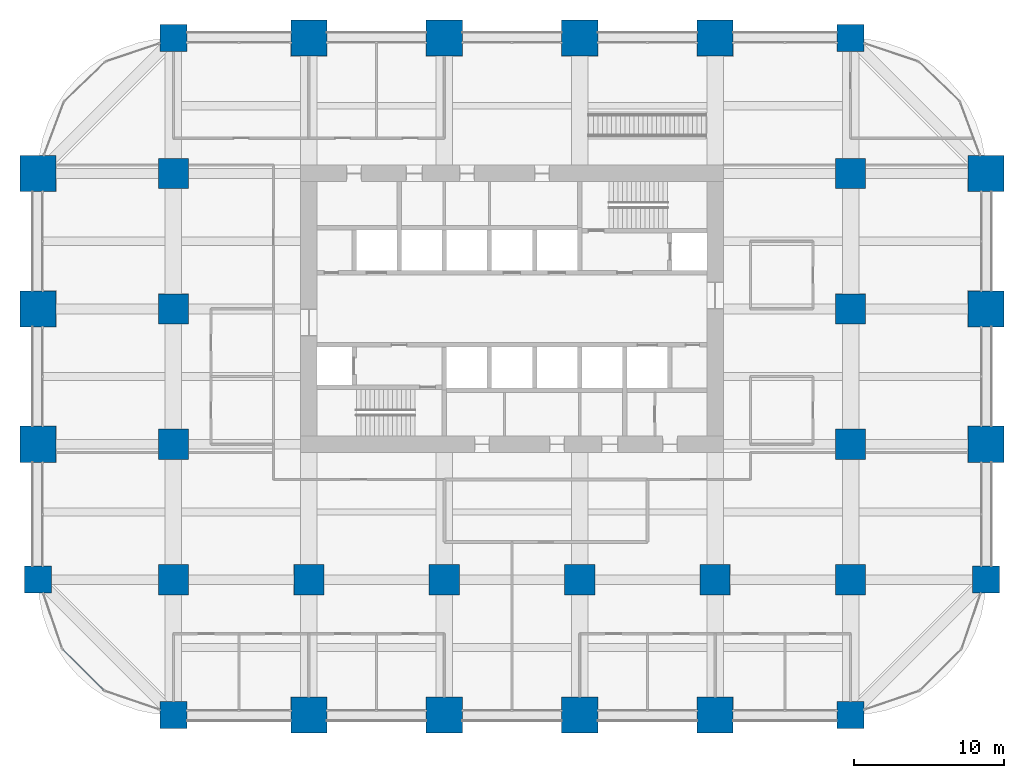
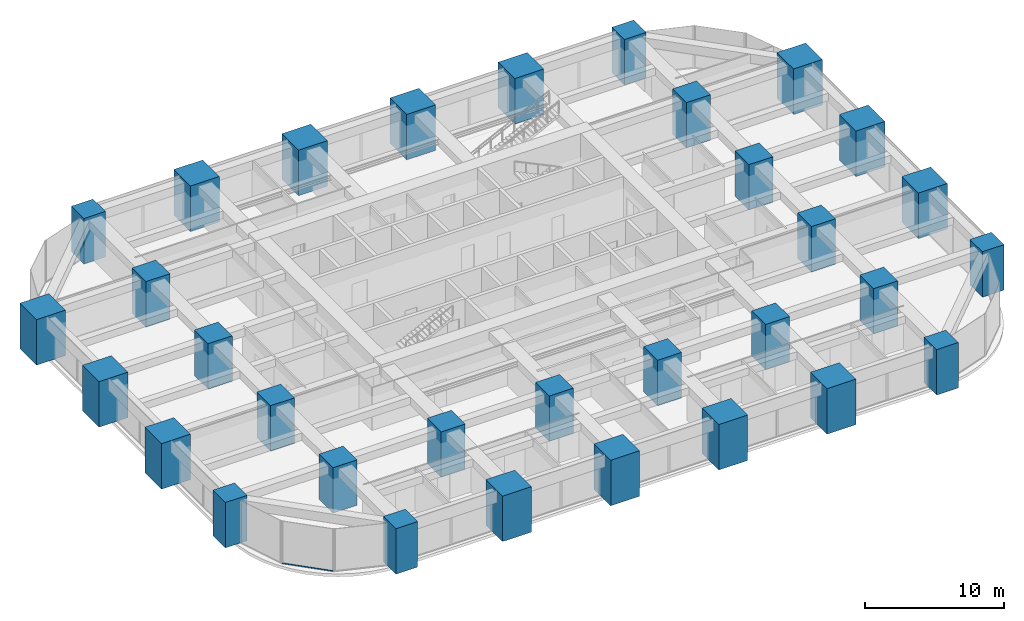
# One storey, part 1 of 41: 32 columns, 1 member, 1 element without a shape of its own.
"""IFC4 building model written with IfcOpenShell, lengths in metres."""

from ifc_helpers import new_model, si_unit, direction, frame, origin, origin_2d, place, context, subcontext, project, spatial, rectangle, hollow_rectangle, extrude, material, material_profile, profile_set, type_object, element, aggregate, save


model = new_model("IFC4")

# Units and contexts
model_context = context("Model", 3, precision=1e-05, world=origin(), true_north=direction((0.0, 1.0)))
body_context = subcontext(model_context, "Body", "Model", "MODEL_VIEW")
ifc_project = project(units=[si_unit("LENGTHUNIT", "METRE"), si_unit("AREAUNIT", "SQUARE_METRE"), si_unit("VOLUMEUNIT", "CUBIC_METRE"), si_unit("PLANEANGLEUNIT", "RADIAN"), si_unit("MASSUNIT", "GRAM", prefix="KILO")], contexts=[model_context])

# Site, building, storey
site_placement = place(None, origin())
site = spatial("IfcSite", under=ifc_project, at=site_placement, CompositionType="ELEMENT")
building_placement = place(site_placement, origin())
building = spatial("IfcBuilding", under=site, at=building_placement, Name="Zorevar Civic Tower", CompositionType="ELEMENT")
storey_placement = place(building_placement, frame((0.0, 0.0, 97.0)))
storey = spatial("IfcBuildingStorey", under=building, at=storey_placement, Name="L23", CompositionType="ELEMENT", Elevation=97.0)

# Columns
ifc_material_1 = material(Name="Concrete C50/60", Category="concrete")
ifc_material_profile_1 = material_profile(ifc_material_1, rectangle(XDim=1.800048828125, YDim=1.800048828125, at=origin_2d()), Name="RC 1800x1800")
ifc_profile_set_1 = profile_set([ifc_material_profile_1], Name="Concrete C50/60")
column_type_1 = type_object("IfcColumnType", Name="Column RC 1800x1800", PredefinedType="COLUMN", material=ifc_profile_set_1)
for number, where, z_axis, x_axis, name in (
    (1, (0.0, 9.0, 0.0), (0.0, 0.0, 1.0), (1.0, 0.0, 0.0), "Column 2B L23"),
    (2, (9.0, 0.0, 0.0), (0.0, 0.0, 1.0), (1.0, 0.0, 0.0), "Column 3A L23"),
    (3, (9.0, 45.0, 0.0), (0.0, 0.0, 1.0), (1.0, 0.0, 0.0), "Column 3F L23"),
    (4, (54.0, 0.0, 0.0), (0.0, 0.0, 1.0), (1.0, 0.0, 0.0), "Column 8A L23"),
    (5, (54.0, 45.0, 0.0), (0.0, 0.0, 1.0), (1.0, 0.0, 0.0), "Column 8F L23"),
    (6, (63.0, 9.0, 0.0), (0.0, 0.0, 1.0), (1.0, 0.0, 0.0), "Column 9B L23"),
):
    element("IfcColumn", number, at=place(storey_placement, frame(where, z_axis=z_axis, x_axis=x_axis)), inside=storey, type_object=column_type_1, Name=name, PredefinedType="COLUMN", context=body_context, shape_type="SweptSolid", body=[
        extrude(rectangle(XDim=1.800048828125, YDim=1.800048828125, at=origin_2d()), origin(), (0.0, 0.0, 1.0), 4.0),
    ])
ifc_material_2 = material(Name="Concrete C50/60", Category="concrete")
ifc_material_profile_2 = material_profile(ifc_material_2, rectangle(XDim=2.0, YDim=2.0, at=origin_2d()), Name="RC 2000x2000")
ifc_profile_set_2 = profile_set([ifc_material_profile_2], Name="Concrete C50/60")
column_type_2 = type_object("IfcColumnType", Name="Column RC 2000x2000", PredefinedType="COLUMN", material=ifc_profile_set_2)
for number, where, z_axis, x_axis, name in (
    (7, (9.0, 9.0, 0.0), (0.0, 0.0, 1.0), (1.0, 0.0, 0.0), "Column 3B L23"),
    (8, (9.0, 18.0, 0.0), (0.0, 0.0, 1.0), (1.0, 0.0, 0.0), "Column 3C L23"),
    (9, (9.0, 27.0, 0.0), (0.0, 0.0, 1.0), (1.0, 0.0, 0.0), "Column 3D L23"),
    (10, (9.0, 36.0, 0.0), (0.0, 0.0, 1.0), (1.0, 0.0, 0.0), "Column 3E L23"),
    (11, (18.0, 9.0, 0.0), (0.0, 0.0, 1.0), (1.0, 0.0, 0.0), "Column 4B L23"),
    (12, (27.0, 9.0, 0.0), (0.0, 0.0, 1.0), (1.0, 0.0, 0.0), "Column 5B L23"),
    (13, (36.0, 9.0, 0.0), (0.0, 0.0, 1.0), (1.0, 0.0, 0.0), "Column 6B L23"),
    (14, (45.0, 9.0, 0.0), (0.0, 0.0, 1.0), (1.0, 0.0, 0.0), "Column 7B L23"),
    (15, (54.0, 9.0, 0.0), (0.0, 0.0, 1.0), (1.0, 0.0, 0.0), "Column 8B L23"),
    (16, (54.0, 18.0, 0.0), (0.0, 0.0, 1.0), (1.0, 0.0, 0.0), "Column 8C L23"),
    (17, (54.0, 27.0, 0.0), (0.0, 0.0, 1.0), (1.0, 0.0, 0.0), "Column 8D L23"),
    (18, (54.0, 36.0, 0.0), (0.0, 0.0, 1.0), (1.0, 0.0, 0.0), "Column 8E L23"),
):
    element("IfcColumn", number, at=place(storey_placement, frame(where, z_axis=z_axis, x_axis=x_axis)), inside=storey, type_object=column_type_2, Name=name, PredefinedType="COLUMN", context=body_context, shape_type="SweptSolid", body=[
        extrude(rectangle(XDim=2.0, YDim=2.0, at=origin_2d()), origin(), (0.0, 0.0, 1.0), 4.0),
    ])
ifc_material_3 = material(Name="Concrete C50/60", Category="concrete")
ifc_material_profile_3 = material_profile(ifc_material_3, rectangle(XDim=2.39990234375, YDim=2.39990234375, at=origin_2d()), Name="RC 2400x2400")
ifc_profile_set_3 = profile_set([ifc_material_profile_3], Name="Concrete C50/60")
column_type_3 = type_object("IfcColumnType", Name="Mega column RC 2400x2400", PredefinedType="COLUMN", material=ifc_profile_set_3)
for number, where, z_axis, x_axis, name in (
    (19, (0.0, 18.0, 0.0), (0.0, 0.0, 1.0), (1.0, 0.0, 0.0), "Column 2C L23"),
    (20, (0.0, 27.0, 0.0), (0.0, 0.0, 1.0), (1.0, 0.0, 0.0), "Column 2D L23"),
    (21, (0.0, 36.0, 0.0), (0.0, 0.0, 1.0), (1.0, 0.0, 0.0), "Column 2E L23"),
    (22, (18.0, 0.0, 0.0), (0.0, 0.0, 1.0), (1.0, 0.0, 0.0), "Column 4A L23"),
    (23, (18.0, 45.0, 0.0), (0.0, 0.0, 1.0), (1.0, 0.0, 0.0), "Column 4F L23"),
    (24, (27.0, 0.0, 0.0), (0.0, 0.0, 1.0), (1.0, 0.0, 0.0), "Column 5A L23"),
    (25, (27.0, 45.0, 0.0), (0.0, 0.0, 1.0), (1.0, 0.0, 0.0), "Column 5F L23"),
    (26, (36.0, 0.0, 0.0), (0.0, 0.0, 1.0), (1.0, 0.0, 0.0), "Column 6A L23"),
    (27, (36.0, 45.0, 0.0), (0.0, 0.0, 1.0), (1.0, 0.0, 0.0), "Column 6F L23"),
    (28, (45.0, 0.0, 0.0), (0.0, 0.0, 1.0), (1.0, 0.0, 0.0), "Column 7A L23"),
    (29, (45.0, 45.0, 0.0), (0.0, 0.0, 1.0), (1.0, 0.0, 0.0), "Column 7F L23"),
    (30, (63.0, 18.0, 0.0), (0.0, 0.0, 1.0), (1.0, 0.0, 0.0), "Column 9C L23"),
    (31, (63.0, 27.0, 0.0), (0.0, 0.0, 1.0), (1.0, 0.0, 0.0), "Column 9D L23"),
    (32, (63.0, 36.0, 0.0), (0.0, 0.0, 1.0), (1.0, 0.0, 0.0), "Column 9E L23"),
):
    element("IfcColumn", number, at=place(storey_placement, frame(where, z_axis=z_axis, x_axis=x_axis)), inside=storey, type_object=column_type_3, Name=name, PredefinedType="COLUMN", context=body_context, shape_type="SweptSolid", body=[
        extrude(rectangle(XDim=2.39990234375, YDim=2.39990234375, at=origin_2d()), origin(), (0.0, 0.0, 1.0), 4.0),
    ])

# Curtain wall, member
ifc_material_4 = material(Name="Dark grey solar-control glass in black aluminium frame", Category="aluminium")
curtain_wall_type = type_object("IfcCurtainWallType", Name="Curtain wall CW3 mid zone", PredefinedType="NOTDEFINED", material=ifc_material_4)
curtain_wall_placement = place(storey_placement, origin())
curtain_wall = element("IfcCurtainWall", 33, at=curtain_wall_placement, inside=storey, type_object=curtain_wall_type, Name="CW3 L23", PredefinedType="NOTDEFINED")
ifc_material_5 = material(Name="Aluminium, black anodised", Category="aluminium")
ifc_material_profile_4 = material_profile(ifc_material_5, hollow_rectangle(XDim=0.06005859375, YDim=0.1201171875, WallThickness=0.0029296875, at=origin_2d()), Name="AL 120x60x3")
ifc_profile_set_4 = profile_set([ifc_material_profile_4], Name="Aluminium, black anodised")
member_type = type_object("IfcMemberType", Name="CW3 transom AL 120x60x3", PredefinedType="USERDEFINED", material=ifc_profile_set_4)
member_placement = place(storey_placement, frame((1.662841796875, 4.349853515625, 0.030029296875), z_axis=(0.707106781187, -0.707106781187, 0.0), x_axis=(0.707106781187, 0.707106781187, 0.0)))
member = element("IfcMember", 34, at=member_placement, type_object=member_type, Name="CW3 sill transom", ObjectType="TRANSOM", PredefinedType="USERDEFINED", context=body_context, shape_type="SweptSolid", body=[
    extrude(hollow_rectangle(XDim=0.06005859375, YDim=0.1201171875, WallThickness=0.0029296875, at=origin_2d()), origin(), (0.0, 0.0, 1.0), 3.800048828125),
])
aggregate(curtain_wall, [member])

save(model, "model.ifc")
